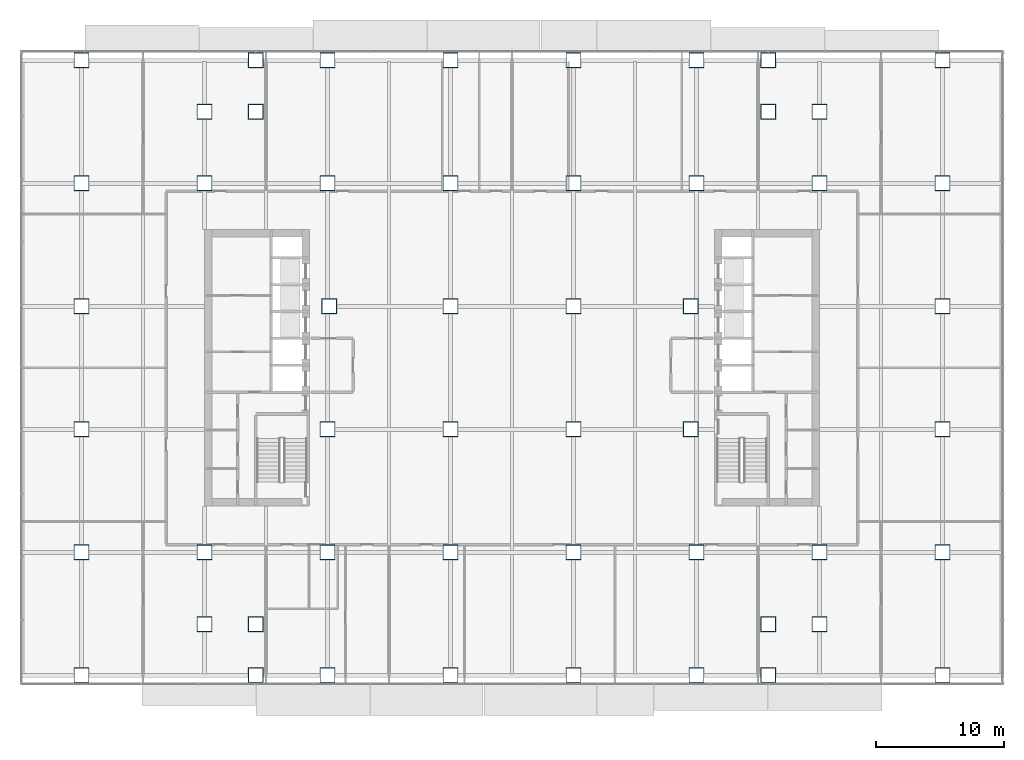
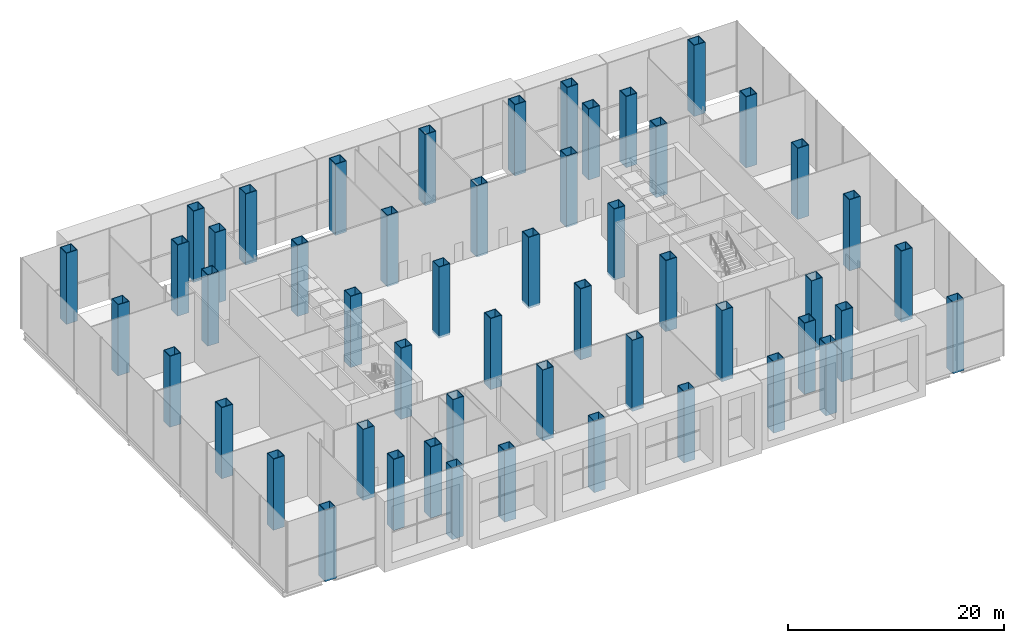
# One storey, part 1 of 24: 52 columns.
"""IFC4 building model written with IfcOpenShell, lengths in metres."""

from ifc_helpers import new_model, si_unit, direction, frame, origin, origin_2d, place, context, subcontext, project, spatial, hollow_rectangle, extrude, material, material_profile, profile_set, type_object, element, save


model = new_model("IFC4")

# Units and contexts
model_context = context("Model", 3, precision=1e-05, world=origin(), true_north=direction((0.0, 1.0)))
body_context = subcontext(model_context, "Body", "Model", "MODEL_VIEW")
ifc_project = project(units=[si_unit("LENGTHUNIT", "METRE"), si_unit("AREAUNIT", "SQUARE_METRE"), si_unit("VOLUMEUNIT", "CUBIC_METRE"), si_unit("PLANEANGLEUNIT", "RADIAN"), si_unit("MASSUNIT", "GRAM", prefix="KILO")], contexts=[model_context])

# Site, building, storey
site_placement = place(None, origin())
site = spatial("IfcSite", under=ifc_project, at=site_placement, CompositionType="ELEMENT")
building_placement = place(site_placement, origin())
building = spatial("IfcBuilding", under=site, at=building_placement, Name="Cobrizo Arcos Hotel Tower", CompositionType="ELEMENT")
storey_placement = place(building_placement, frame((0.0, 0.0, 7.5)))
storey = spatial("IfcBuildingStorey", under=building, at=storey_placement, Name="L01", CompositionType="ELEMENT", Elevation=7.5)

# Columns
ifc_material = material(Name="Steel ASTM A572 Grade 50", Category="steel")
ifc_material_profile_1 = material_profile(ifc_material, hollow_rectangle(XDim=1.199951171875, YDim=1.199951171875, WallThickness=0.070068359375, at=origin_2d()), Name="BOX 1200X1200X70")
ifc_profile_set_1 = profile_set([ifc_material_profile_1], Name="Steel ASTM A572 Grade 50")
column_type_1 = type_object("IfcColumnType", Name="BOX 1200X1200X70 column", PredefinedType="COLUMN", material=ifc_profile_set_1)
for number, where, z_axis, x_axis, name in (
    (1, (-33.60009765625, -24.0, -0.25), (0.0, 0.0, 1.0), (1.0, 0.0, 0.0), "Perimeter column C1, L01, no. 00"),
    (2, (-33.60009765625, -14.39990234375, -0.25), (0.0, 0.0, 1.0), (1.0, 0.0, 0.0), "Perimeter column C1, L01, no. 01"),
    (3, (-33.60009765625, -4.800048828125, -0.25), (0.0, 0.0, 1.0), (1.0, 0.0, 0.0), "Perimeter column C1, L01, no. 02"),
    (4, (-33.60009765625, 4.800048828125, -0.25), (0.0, 0.0, 1.0), (1.0, 0.0, 0.0), "Perimeter column C1, L01, no. 03"),
    (5, (-33.60009765625, 14.39990234375, -0.25), (0.0, 0.0, 1.0), (1.0, 0.0, 0.0), "Perimeter column C1, L01, no. 04"),
    (6, (-33.60009765625, 24.0, -0.25), (0.0, 0.0, 1.0), (1.0, 0.0, 0.0), "Perimeter column C1, L01, no. 05"),
    (7, (-20.0, -24.0, -0.25), (0.0, 0.0, 1.0), (1.0, 0.0, 0.0), "Perimeter column C1, L01, no. 06"),
    (8, (-20.0, 24.0, -0.25), (0.0, 0.0, 1.0), (1.0, 0.0, 0.0), "Perimeter column C1, L01, no. 07"),
    (9, (-14.39990234375, -24.0, -0.25), (0.0, 0.0, 1.0), (1.0, 0.0, 0.0), "Perimeter column C1, L01, no. 08"),
    (10, (-14.39990234375, 24.0, -0.25), (0.0, 0.0, 1.0), (1.0, 0.0, 0.0), "Perimeter column C1, L01, no. 09"),
    (11, (-4.800048828125, -24.0, -0.25), (0.0, 0.0, 1.0), (1.0, 0.0, 0.0), "Perimeter column C1, L01, no. 10"),
    (12, (-4.800048828125, 24.0, -0.25), (0.0, 0.0, 1.0), (1.0, 0.0, 0.0), "Perimeter column C1, L01, no. 11"),
    (13, (4.800048828125, -24.0, -0.25), (0.0, 0.0, 1.0), (1.0, 0.0, 0.0), "Perimeter column C1, L01, no. 12"),
    (14, (4.800048828125, 24.0, -0.25), (0.0, 0.0, 1.0), (1.0, 0.0, 0.0), "Perimeter column C1, L01, no. 13"),
    (15, (14.39990234375, -24.0, -0.25), (0.0, 0.0, 1.0), (1.0, 0.0, 0.0), "Perimeter column C1, L01, no. 14"),
    (16, (14.39990234375, 24.0, -0.25), (0.0, 0.0, 1.0), (1.0, 0.0, 0.0), "Perimeter column C1, L01, no. 15"),
    (17, (20.0, -24.0, -0.25), (0.0, 0.0, 1.0), (1.0, 0.0, 0.0), "Perimeter column C1, L01, no. 16"),
    (18, (20.0, 24.0, -0.25), (0.0, 0.0, 1.0), (1.0, 0.0, 0.0), "Perimeter column C1, L01, no. 17"),
    (19, (33.60009765625, -24.0, -0.25), (0.0, 0.0, 1.0), (1.0, 0.0, 0.0), "Perimeter column C1, L01, no. 18"),
    (20, (33.60009765625, -14.39990234375, -0.25), (0.0, 0.0, 1.0), (1.0, 0.0, 0.0), "Perimeter column C1, L01, no. 19"),
    (21, (33.60009765625, -4.800048828125, -0.25), (0.0, 0.0, 1.0), (1.0, 0.0, 0.0), "Perimeter column C1, L01, no. 20"),
    (22, (33.60009765625, 4.800048828125, -0.25), (0.0, 0.0, 1.0), (1.0, 0.0, 0.0), "Perimeter column C1, L01, no. 21"),
    (23, (33.60009765625, 14.39990234375, -0.25), (0.0, 0.0, 1.0), (1.0, 0.0, 0.0), "Perimeter column C1, L01, no. 22"),
    (24, (33.60009765625, 24.0, -0.25), (0.0, 0.0, 1.0), (1.0, 0.0, 0.0), "Perimeter column C1, L01, no. 23"),
):
    element("IfcColumn", number, at=place(storey_placement, frame(where, z_axis=z_axis, x_axis=x_axis)), inside=storey, type_object=column_type_1, Name=name, PredefinedType="COLUMN", context=body_context, shape_type="SweptSolid", body=[
        extrude(hollow_rectangle(XDim=1.199951171875, YDim=1.199951171875, WallThickness=0.070068359375, at=origin_2d()), origin(), (0.0, 0.0, 1.0), 8.050048828125),
    ])
ifc_material_profile_2 = material_profile(ifc_material, hollow_rectangle(XDim=1.199951171875, YDim=1.199951171875, WallThickness=0.070068359375, at=origin_2d()), Name="BOX 1200X1200X70")
ifc_profile_set_2 = profile_set([ifc_material_profile_2], Name="Steel ASTM A572 Grade 50")
column_type_2 = type_object("IfcColumnType", Name="BOX 1200X1200X70 interior column", PredefinedType="COLUMN", material=ifc_profile_set_2)
for number, where, z_axis, x_axis, name in (
    (25, (-24.0, -20.0, -0.25), (0.0, 0.0, 1.0), (1.0, 0.0, 0.0), "Interior column C2, L01, no. 00"),
    (26, (-24.0, -14.39990234375, -0.25), (0.0, 0.0, 1.0), (1.0, 0.0, 0.0), "Interior column C2, L01, no. 01"),
    (27, (-24.0, 14.39990234375, -0.25), (0.0, 0.0, 1.0), (1.0, 0.0, 0.0), "Interior column C2, L01, no. 02"),
    (28, (-24.0, 20.0, -0.25), (0.0, 0.0, 1.0), (1.0, 0.0, 0.0), "Interior column C2, L01, no. 03"),
    (29, (-20.0, -20.0, -0.25), (0.0, 0.0, 1.0), (1.0, 0.0, 0.0), "Interior column C2, L01, no. 04"),
    (30, (-20.0, 20.0, -0.25), (0.0, 0.0, 1.0), (1.0, 0.0, 0.0), "Interior column C2, L01, no. 05"),
    (31, (-14.39990234375, -14.39990234375, -0.25), (0.0, 0.0, 1.0), (1.0, 0.0, 0.0), "Interior column C2, L01, no. 06"),
    (32, (-14.39990234375, -4.800048828125, -0.25), (0.0, 0.0, 1.0), (1.0, 0.0, 0.0), "Interior column C2, L01, no. 07"),
    (33, (-14.25, 4.800048828125, -0.25), (0.0, 0.0, 1.0), (1.0, 0.0, 0.0), "Interior column C2, L01, no. 08"),
    (34, (-14.39990234375, 14.39990234375, -0.25), (0.0, 0.0, 1.0), (1.0, 0.0, 0.0), "Interior column C2, L01, no. 09"),
    (35, (-4.800048828125, -14.39990234375, -0.25), (0.0, 0.0, 1.0), (1.0, 0.0, 0.0), "Interior column C2, L01, no. 10"),
    (36, (-4.800048828125, -4.800048828125, -0.25), (0.0, 0.0, 1.0), (1.0, 0.0, 0.0), "Interior column C2, L01, no. 11"),
    (37, (-4.800048828125, 4.800048828125, -0.25), (0.0, 0.0, 1.0), (1.0, 0.0, 0.0), "Interior column C2, L01, no. 12"),
    (38, (-4.800048828125, 14.39990234375, -0.25), (0.0, 0.0, 1.0), (1.0, 0.0, 0.0), "Interior column C2, L01, no. 13"),
    (39, (4.800048828125, -14.39990234375, -0.25), (0.0, 0.0, 1.0), (1.0, 0.0, 0.0), "Interior column C2, L01, no. 14"),
    (40, (4.800048828125, -4.800048828125, -0.25), (0.0, 0.0, 1.0), (1.0, 0.0, 0.0), "Interior column C2, L01, no. 15"),
    (41, (4.800048828125, 4.800048828125, -0.25), (0.0, 0.0, 1.0), (1.0, 0.0, 0.0), "Interior column C2, L01, no. 16"),
    (42, (4.800048828125, 14.39990234375, -0.25), (0.0, 0.0, 1.0), (1.0, 0.0, 0.0), "Interior column C2, L01, no. 17"),
    (43, (14.39990234375, -14.39990234375, -0.25), (0.0, 0.0, 1.0), (1.0, 0.0, 0.0), "Interior column C2, L01, no. 18"),
    (44, (13.93994140625, -4.800048828125, -0.25), (0.0, 0.0, 1.0), (1.0, 0.0, 0.0), "Interior column C2, L01, no. 19"),
    (45, (13.93994140625, 4.800048828125, -0.25), (0.0, 0.0, 1.0), (1.0, 0.0, 0.0), "Interior column C2, L01, no. 20"),
    (46, (14.39990234375, 14.39990234375, -0.25), (0.0, 0.0, 1.0), (1.0, 0.0, 0.0), "Interior column C2, L01, no. 21"),
    (47, (20.0, -20.0, -0.25), (0.0, 0.0, 1.0), (1.0, 0.0, 0.0), "Interior column C2, L01, no. 22"),
    (48, (20.0, 20.0, -0.25), (0.0, 0.0, 1.0), (1.0, 0.0, 0.0), "Interior column C2, L01, no. 23"),
    (49, (24.0, -20.0, -0.25), (0.0, 0.0, 1.0), (1.0, 0.0, 0.0), "Interior column C2, L01, no. 24"),
    (50, (24.0, -14.39990234375, -0.25), (0.0, 0.0, 1.0), (1.0, 0.0, 0.0), "Interior column C2, L01, no. 25"),
    (51, (24.0, 14.39990234375, -0.25), (0.0, 0.0, 1.0), (1.0, 0.0, 0.0), "Interior column C2, L01, no. 26"),
    (52, (24.0, 20.0, -0.25), (0.0, 0.0, 1.0), (1.0, 0.0, 0.0), "Interior column C2, L01, no. 27"),
):
    element("IfcColumn", number, at=place(storey_placement, frame(where, z_axis=z_axis, x_axis=x_axis)), inside=storey, type_object=column_type_2, Name=name, PredefinedType="COLUMN", context=body_context, shape_type="SweptSolid", body=[
        extrude(hollow_rectangle(XDim=1.199951171875, YDim=1.199951171875, WallThickness=0.070068359375, at=origin_2d()), origin(), (0.0, 0.0, 1.0), 8.050048828125),
    ])

save(model, "model.ifc")
